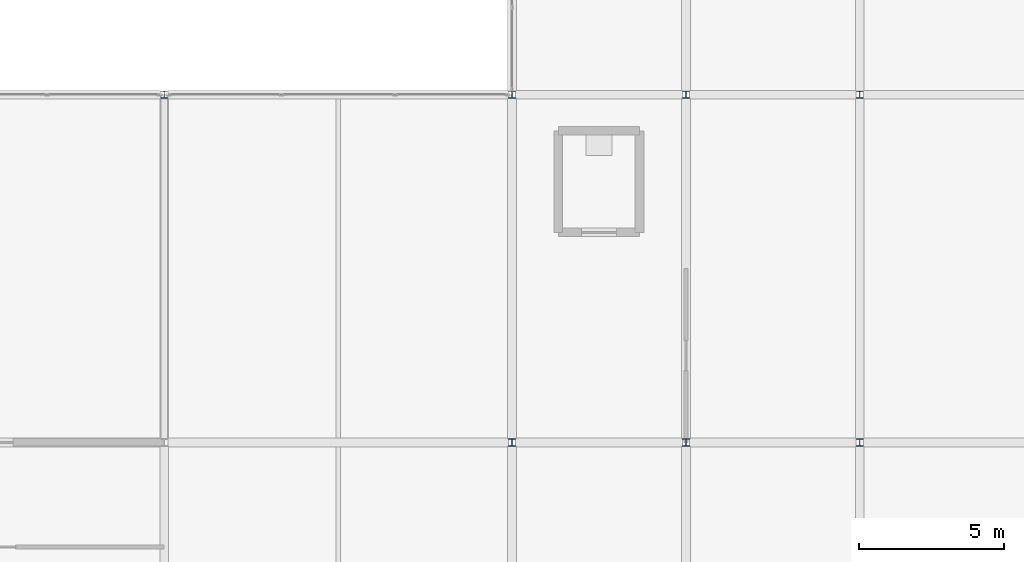
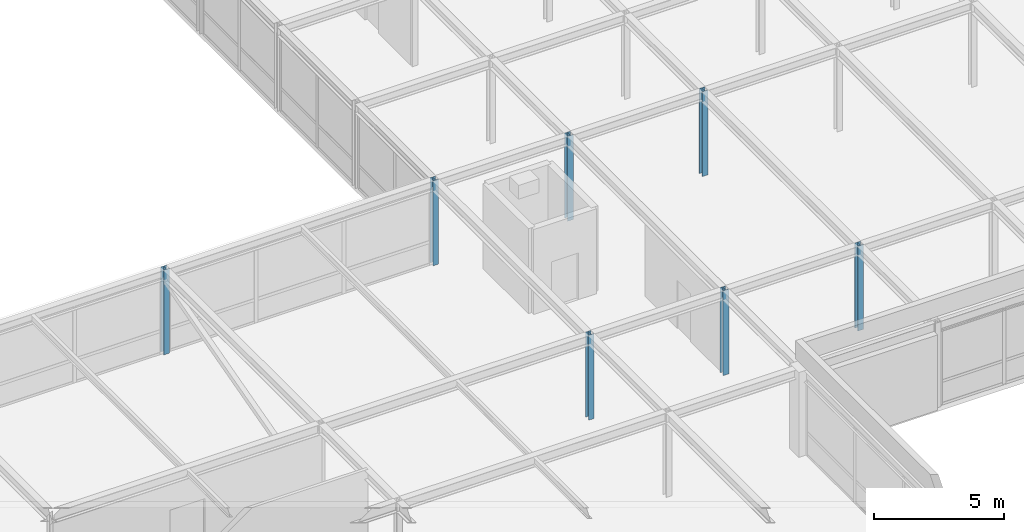
# One storey, part 4 of 111: 7 columns.
"""IFC4 building model written with IfcOpenShell, lengths in metres."""

from ifc_helpers import new_model, si_unit, direction, frame, origin, origin_2d, place, context, subcontext, project, spatial, i_section, extrude, material, material_profile, profile_set, type_object, element, save


model = new_model("IFC4")

# Units and contexts
model_context = context("Model", 3, precision=1e-05, world=origin(), true_north=direction((0.0, 1.0)))
body_context = subcontext(model_context, "Body", "Model", "MODEL_VIEW")
ifc_project = project(units=[si_unit("LENGTHUNIT", "METRE"), si_unit("AREAUNIT", "SQUARE_METRE"), si_unit("VOLUMEUNIT", "CUBIC_METRE"), si_unit("PLANEANGLEUNIT", "RADIAN"), si_unit("MASSUNIT", "GRAM", prefix="KILO")], contexts=[model_context])

# Site, building, storey
site_placement = place(None, origin())
site = spatial("IfcSite", under=ifc_project, at=site_placement, CompositionType="ELEMENT")
building_placement = place(site_placement, origin())
building = spatial("IfcBuilding", under=site, at=building_placement, Name="Zlatovratsky Civic Hall", CompositionType="ELEMENT")
storey_placement = place(building_placement, frame((0.0, 0.0, 16.5)))
storey = spatial("IfcBuildingStorey", under=building, at=storey_placement, Name="L04", CompositionType="ELEMENT", Elevation=16.5)

# Columns
ifc_material = material(Name="Steel S355", Category="steel")
ifc_material_profile = material_profile(ifc_material, i_section(OverallWidth=0.25, OverallDepth=0.25, WebThickness=0.009033203125, FlangeThickness=0.013916015625, FilletRadius=0.01611328125, at=origin_2d()), Name="25K2")
ifc_profile_set = profile_set([ifc_material_profile], Name="Steel S355")
column_type = type_object("IfcColumnType", Name="Col_Steel_25K2", PredefinedType="COLUMN", material=ifc_profile_set)
for number, where, z_axis, x_axis, name in (
    (1, (48.0, 18.0, 0.0), (0.0, 0.0, 1.0), (1.0, 0.0, 0.0), "CL-1593"),
    (2, (54.0, 18.0, 0.0), (0.0, 0.0, 1.0), (1.0, 0.0, 0.0), "CL-1594"),
    (3, (60.0, 18.0, 0.0), (0.0, 0.0, 1.0), (1.0, 0.0, 0.0), "CL-1595"),
    (4, (36.0, 30.0, 0.0), (0.0, 0.0, 1.0), (1.0, 0.0, 0.0), "CL-1615"),
    (5, (48.0, 30.0, 0.0), (0.0, 0.0, 1.0), (1.0, 0.0, 0.0), "CL-1616"),
    (6, (54.0, 30.0, 0.0), (0.0, 0.0, 1.0), (1.0, 0.0, 0.0), "CL-1617"),
    (7, (60.0, 30.0, 0.0), (0.0, 0.0, 1.0), (1.0, 0.0, 0.0), "CL-1618"),
):
    element("IfcColumn", number, at=place(storey_placement, frame(where, z_axis=z_axis, x_axis=x_axis)), inside=storey, type_object=column_type, Name=name, PredefinedType="COLUMN", context=body_context, shape_type="SweptSolid", body=[
        extrude(i_section(OverallWidth=0.25, OverallDepth=0.25, WebThickness=0.009033203125, FlangeThickness=0.013916015625, FilletRadius=0.01611328125, at=origin_2d()), origin(), (0.0, 0.0, 1.0), 4.0),
    ])

save(model, "model.ifc")
